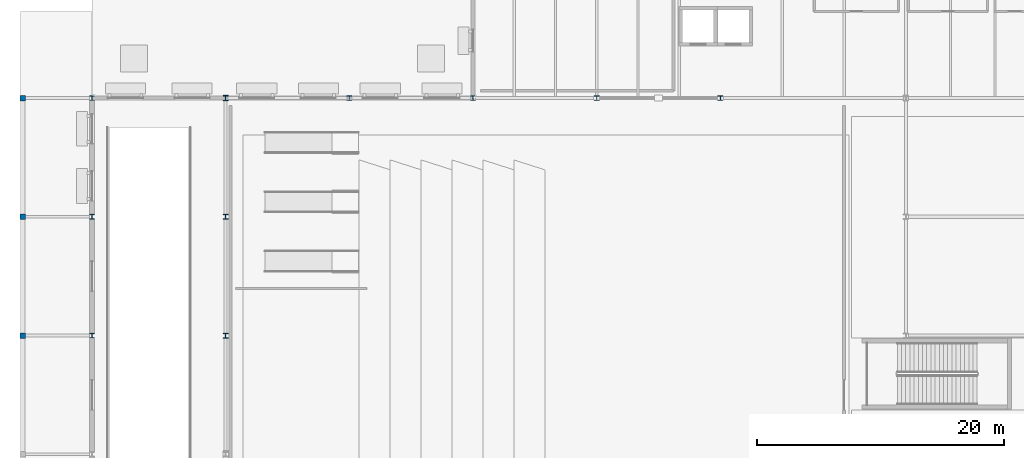
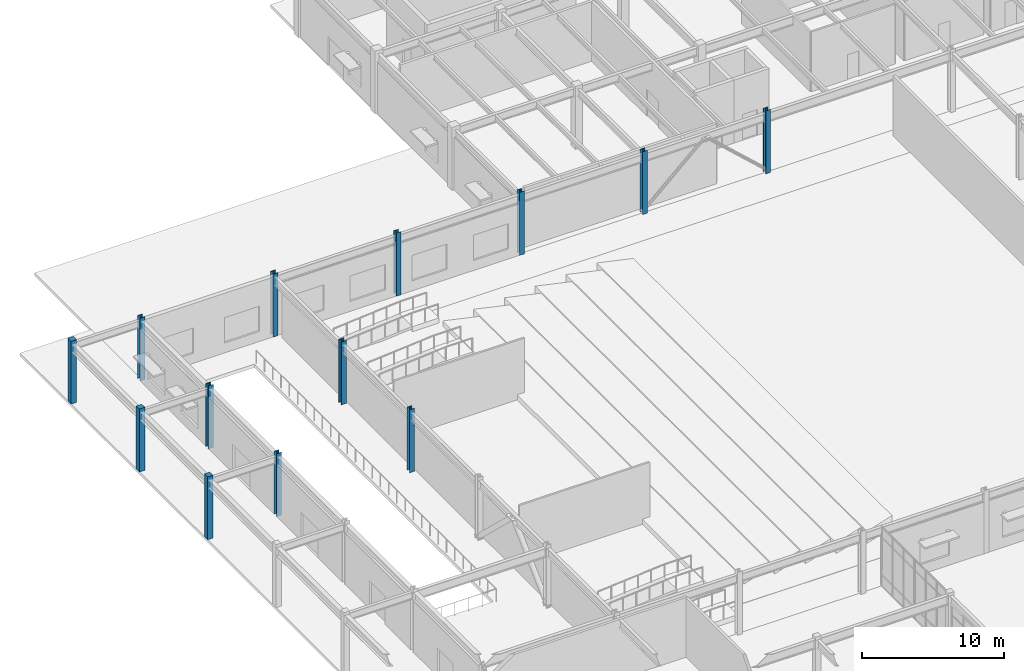
# One storey, part 5 of 54: 13 columns.
"""IFC4 building model written with IfcOpenShell, lengths in metres."""

from ifc_helpers import new_model, si_unit, direction, frame, origin, origin_2d, place, context, subcontext, project, spatial, rectangle, i_section, extrude, material, material_profile, profile_set, type_object, element, save


model = new_model("IFC4")

# Units and contexts
model_context = context("Model", 3, precision=1e-05, world=origin(), true_north=direction((0.0, 1.0)))
body_context = subcontext(model_context, "Body", "Model", "MODEL_VIEW")
ifc_project = project(units=[si_unit("LENGTHUNIT", "METRE"), si_unit("AREAUNIT", "SQUARE_METRE"), si_unit("VOLUMEUNIT", "CUBIC_METRE"), si_unit("PLANEANGLEUNIT", "RADIAN"), si_unit("MASSUNIT", "GRAM", prefix="KILO")], contexts=[model_context])

# Site, building, storey
site_placement = place(None, origin())
site = spatial("IfcSite", under=ifc_project, at=site_placement, CompositionType="ELEMENT")
building_placement = place(site_placement, origin())
building = spatial("IfcBuilding", under=site, at=building_placement, Name="Veldera Park Congress Hotel", CompositionType="ELEMENT")
storey_placement = place(building_placement, origin())
storey = spatial("IfcBuildingStorey", under=building, at=storey_placement, Name="L00", CompositionType="ELEMENT", Elevation=0.0)

# Columns
ifc_material_1 = material(Name="Glulam GL28h (NDS 24F-V4)", Category="wood")
ifc_material_profile_1 = material_profile(ifc_material_1, rectangle(XDim=0.449951171875, YDim=0.449951171875, at=origin_2d()), Name="GL28h 450x450")
ifc_profile_set_1 = profile_set([ifc_material_profile_1], Name="Glulam GL28h (NDS 24F-V4)")
column_type_1 = type_object("IfcColumnType", Name="COL-GL42E", PredefinedType="COLUMN", material=ifc_profile_set_1)
for number, where, z_axis, x_axis, name in (
    (1, (-83.800048828125, 7.800048828125, 0.0), (0.0, 0.0, 1.0), (1.0, 0.0, 0.0), "L00 Column COL-GL42E (-83.8,7.8)"),
    (2, (-83.800048828125, 17.39990234375, 0.0), (0.0, 0.0, 1.0), (1.0, 0.0, 0.0), "L00 Column COL-GL42E (-83.8,17.4)"),
    (3, (-83.800048828125, 27.0, 0.0), (0.0, 0.0, 1.0), (1.0, 0.0, 0.0), "L00 Column COL-GL42E (-83.8,27.0)"),
):
    element("IfcColumn", number, at=place(storey_placement, frame(where, z_axis=z_axis, x_axis=x_axis)), inside=storey, type_object=column_type_1, Name=name, PredefinedType="COLUMN", context=body_context, shape_type="SweptSolid", body=[
        extrude(rectangle(XDim=0.449951171875, YDim=0.449951171875, at=origin_2d()), origin(), (0.0, 0.0, 1.0), 5.39990234375),
    ])
ifc_material_2 = material(Name="Steel ASTM A992 Gr.50", Category="steel")
ifc_material_profile_2 = material_profile(ifc_material_2, i_section(OverallWidth=0.39599609375, OverallDepth=0.381103515625, WebThickness=0.018798828125, FlangeThickness=0.0302734375, at=origin_2d()), Name="W14X159")
ifc_profile_set_2 = profile_set([ifc_material_profile_2], Name="Steel ASTM A992 Gr.50")
column_type_2 = type_object("IfcColumnType", Name="COL-STL159E", PredefinedType="COLUMN", material=ifc_profile_set_2)
for number, where, z_axis, x_axis, name in (
    (4, (-78.199951171875, 7.800048828125, 0.0), (0.0, 0.0, 1.0), (1.0, 0.0, 0.0), "L00 Column COL-STL159E (-78.2,7.8)"),
    (5, (-78.199951171875, 17.39990234375, 0.0), (0.0, 0.0, 1.0), (1.0, 0.0, 0.0), "L00 Column COL-STL159E (-78.2,17.4)"),
    (6, (-78.199951171875, 27.0, 0.0), (0.0, 0.0, 1.0), (1.0, 0.0, 0.0), "L00 Column COL-STL159E (-78.2,27.0)"),
):
    element("IfcColumn", number, at=place(storey_placement, frame(where, z_axis=z_axis, x_axis=x_axis)), inside=storey, type_object=column_type_2, Name=name, PredefinedType="COLUMN", context=body_context, shape_type="SweptSolid", body=[
        extrude(i_section(OverallWidth=0.39599609375, OverallDepth=0.381103515625, WebThickness=0.018798828125, FlangeThickness=0.0302734375, at=origin_2d()), origin(), (0.0, 0.0, 1.0), 5.39990234375),
    ])
ifc_material_profile_3 = material_profile(ifc_material_2, i_section(OverallWidth=0.39697265625, OverallDepth=0.386962890625, WebThickness=0.02099609375, FlangeThickness=0.033203125, at=origin_2d()), Name="W14X176")
ifc_profile_set_3 = profile_set([ifc_material_profile_3], Name="Steel ASTM A992 Gr.50")
column_type_3 = type_object("IfcColumnType", Name="COL-STL176", PredefinedType="COLUMN", material=ifc_profile_set_3)
for number, where, z_axis, x_axis, name in (
    (7, (-57.39990234375, 27.0, 0.0), (0.0, 0.0, 1.0), (1.0, 0.0, 0.0), "L00 Column COL-STL176 (-57.4,27.0)"),
    (8, (-47.39990234375, 27.0, 0.0), (0.0, 0.0, 1.0), (1.0, 0.0, 0.0), "L00 Column COL-STL176 (-47.4,27.0)"),
    (9, (-37.39990234375, 27.0, 0.0), (0.0, 0.0, 1.0), (1.0, 0.0, 0.0), "L00 Column COL-STL176 (-37.4,27.0)"),
    (10, (-27.39990234375, 27.0, 0.0), (0.0, 0.0, 1.0), (1.0, 0.0, 0.0), "L00 Column COL-STL176 (-27.4,27.0)"),
):
    element("IfcColumn", number, at=place(storey_placement, frame(where, z_axis=z_axis, x_axis=x_axis)), inside=storey, type_object=column_type_3, Name=name, PredefinedType="COLUMN", context=body_context, shape_type="SweptSolid", body=[
        extrude(i_section(OverallWidth=0.39697265625, OverallDepth=0.386962890625, WebThickness=0.02099609375, FlangeThickness=0.033203125, at=origin_2d()), origin(), (0.0, 0.0, 1.0), 5.39990234375),
    ])
ifc_material_profile_4 = material_profile(ifc_material_2, i_section(OverallWidth=0.404052734375, OverallDepth=0.406982421875, WebThickness=0.027099609375, FlangeThickness=0.043701171875, at=origin_2d()), Name="W14X233")
ifc_profile_set_4 = profile_set([ifc_material_profile_4], Name="Steel ASTM A992 Gr.50")
column_type_4 = type_object("IfcColumnType", Name="COL-STL233", PredefinedType="COLUMN", material=ifc_profile_set_4)
for number, where, z_axis, x_axis, name in (
    (11, (-67.39990234375, 7.800048828125, 0.0), (0.0, 0.0, 1.0), (1.0, 0.0, 0.0), "L00 Column COL-STL233 (-67.4,7.8)"),
    (12, (-67.39990234375, 17.39990234375, 0.0), (0.0, 0.0, 1.0), (1.0, 0.0, 0.0), "L00 Column COL-STL233 (-67.4,17.4)"),
):
    element("IfcColumn", number, at=place(storey_placement, frame(where, z_axis=z_axis, x_axis=x_axis)), inside=storey, type_object=column_type_4, Name=name, PredefinedType="COLUMN", context=body_context, shape_type="SweptSolid", body=[
        extrude(i_section(OverallWidth=0.404052734375, OverallDepth=0.406982421875, WebThickness=0.027099609375, FlangeThickness=0.043701171875, at=origin_2d()), origin(), (0.0, 0.0, 1.0), 5.39990234375),
    ])
ifc_material_profile_5 = material_profile(ifc_material_2, i_section(OverallWidth=0.406005859375, OverallDepth=0.416015625, WebThickness=0.02978515625, FlangeThickness=0.048095703125, at=origin_2d()), Name="W14X257")
ifc_profile_set_5 = profile_set([ifc_material_profile_5], Name="Steel ASTM A992 Gr.50")
column_type_5 = type_object("IfcColumnType", Name="COL-STL233E", PredefinedType="COLUMN", material=ifc_profile_set_5)
column_placement = place(storey_placement, frame((-67.39990234375, 27.0, 0.0), z_axis=(0.0, 0.0, 1.0), x_axis=(1.0, 0.0, 0.0)))
element("IfcColumn", 13, at=column_placement, inside=storey, type_object=column_type_5, Name="L00 Column COL-STL233E (-67.4,27.0)", PredefinedType="COLUMN", context=body_context, shape_type="SweptSolid", body=[
    extrude(i_section(OverallWidth=0.406005859375, OverallDepth=0.416015625, WebThickness=0.02978515625, FlangeThickness=0.048095703125, at=origin_2d()), origin(), (0.0, 0.0, 1.0), 5.39990234375),
])

save(model, "model.ifc")
